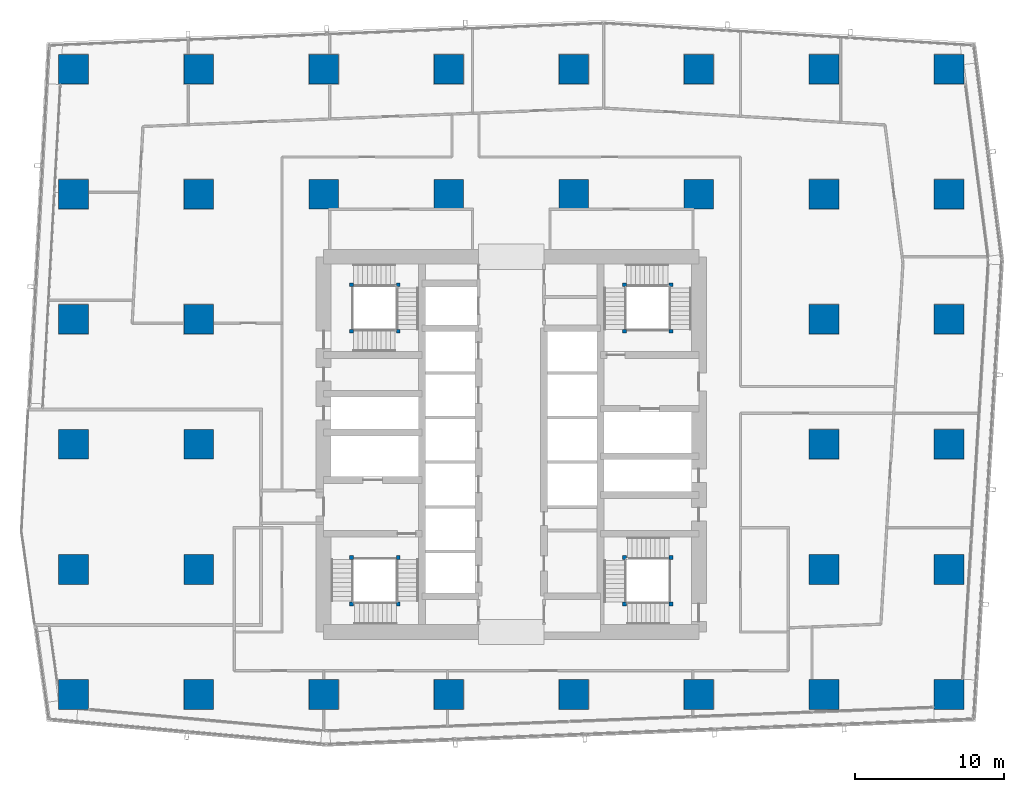
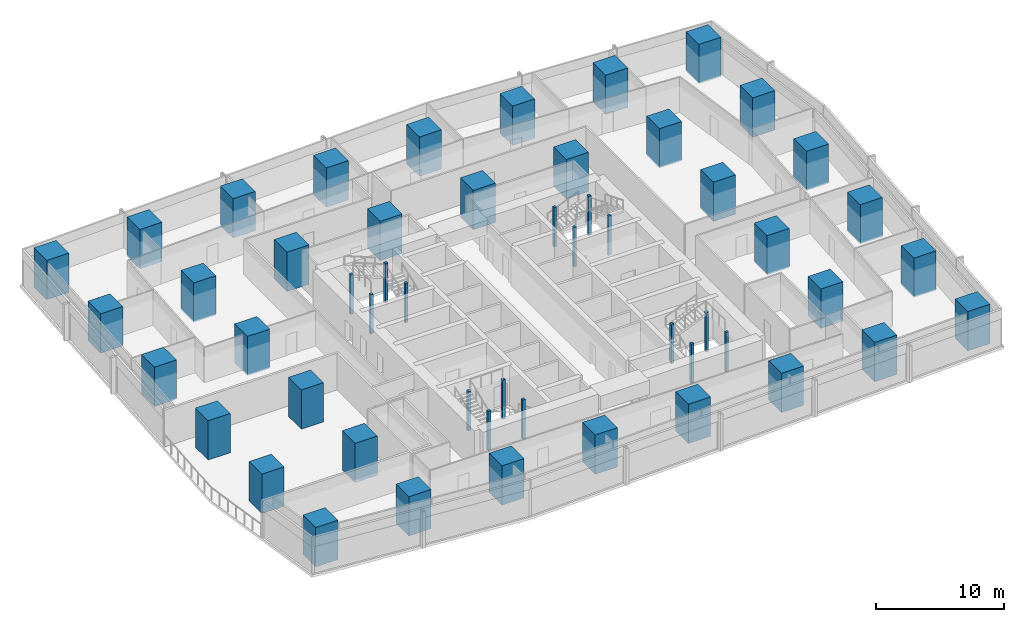
# One storey, part 1 of 36: 52 columns.
"""IFC4 building model written with IfcOpenShell, lengths in metres."""

from ifc_helpers import new_model, si_unit, direction, frame, origin, origin_2d, place, context, subcontext, project, spatial, rectangle, extrude, material, material_profile, profile_set, type_object, element, save


model = new_model("IFC4")

# Units and contexts
model_context = context("Model", 3, precision=1e-05, world=origin(), true_north=direction((0.0, 1.0)))
body_context = subcontext(model_context, "Body", "Model", "MODEL_VIEW")
ifc_project = project(units=[si_unit("LENGTHUNIT", "METRE"), si_unit("AREAUNIT", "SQUARE_METRE"), si_unit("VOLUMEUNIT", "CUBIC_METRE"), si_unit("PLANEANGLEUNIT", "RADIAN"), si_unit("MASSUNIT", "GRAM", prefix="KILO")], contexts=[model_context])

# Site, building, storey
site_placement = place(None, origin())
site = spatial("IfcSite", under=ifc_project, at=site_placement, CompositionType="ELEMENT")
building_placement = place(site_placement, origin())
building = spatial("IfcBuilding", under=site, at=building_placement, Name="Rekha Terrace Tower", CompositionType="ELEMENT")
storey_placement = place(building_placement, frame((0.0, 0.0, 144.050048828125)))
storey = spatial("IfcBuildingStorey", under=building, at=storey_placement, Name="L36", CompositionType="ELEMENT", Elevation=144.050048828125)

# Columns
ifc_material_1 = material(Name="Concrete M70", Category="concrete")
ifc_material_profile_1 = material_profile(ifc_material_1, rectangle(XDim=2.0, YDim=2.0, at=origin_2d()), Name="RC 2000x2000")
ifc_profile_set_1 = profile_set([ifc_material_profile_1], Name="Concrete M70")
column_type_1 = type_object("IfcColumnType", Name="C3C 2000x2000 column", PredefinedType="COLUMN", material=ifc_profile_set_1)
for number, where, z_axis, x_axis, name in (
    (1, (8.39990234375, 16.800048828125, 0.0), (0.0, 0.0, 1.0), (1.0, 0.0, 0.0), "Column C3C 2/C L36"),
    (2, (8.39990234375, 25.199951171875, 0.0), (0.0, 0.0, 1.0), (1.0, 0.0, 0.0), "Column C3C 2/D L36"),
    (3, (8.39990234375, 33.60009765625, 0.0), (0.0, 0.0, 1.0), (1.0, 0.0, 0.0), "Column C3C 2/E L36"),
    (4, (8.39990234375, 42.0, 0.0), (0.0, 0.0, 1.0), (1.0, 0.0, 0.0), "Column C3C 2/F L36"),
    (5, (8.39990234375, 50.39990234375, 0.0), (0.0, 0.0, 1.0), (1.0, 0.0, 0.0), "Column C3C 2/G L36"),
    (6, (8.39990234375, 58.800048828125, 0.0), (0.0, 0.0, 1.0), (1.0, 0.0, 0.0), "Column C3C 2/H L36"),
    (7, (16.800048828125, 16.800048828125, 0.0), (0.0, 0.0, 1.0), (1.0, 0.0, 0.0), "Column C3C 3/C L36"),
    (8, (16.800048828125, 25.199951171875, 0.0), (0.0, 0.0, 1.0), (1.0, 0.0, 0.0), "Column C3C 3/D L36"),
    (9, (16.800048828125, 33.60009765625, 0.0), (0.0, 0.0, 1.0), (1.0, 0.0, 0.0), "Column C3C 3/E L36"),
    (10, (16.800048828125, 42.0, 0.0), (0.0, 0.0, 1.0), (1.0, 0.0, 0.0), "Column C3C 3/F L36"),
    (11, (16.800048828125, 50.39990234375, 0.0), (0.0, 0.0, 1.0), (1.0, 0.0, 0.0), "Column C3C 3/G L36"),
    (12, (16.800048828125, 58.800048828125, 0.0), (0.0, 0.0, 1.0), (1.0, 0.0, 0.0), "Column C3C 3/H L36"),
    (13, (25.199951171875, 16.800048828125, 0.0), (0.0, 0.0, 1.0), (1.0, 0.0, 0.0), "Column C3C 4/C L36"),
    (14, (25.199951171875, 50.39990234375, 0.0), (0.0, 0.0, 1.0), (1.0, 0.0, 0.0), "Column C3C 4/G L36"),
    (15, (25.199951171875, 58.800048828125, 0.0), (0.0, 0.0, 1.0), (1.0, 0.0, 0.0), "Column C3C 4/H L36"),
    (16, (33.60009765625, 16.800048828125, 0.0), (0.0, 0.0, 1.0), (1.0, 0.0, 0.0), "Column C3C 5/C L36"),
    (17, (33.60009765625, 50.39990234375, 0.0), (0.0, 0.0, 1.0), (1.0, 0.0, 0.0), "Column C3C 5/G L36"),
    (18, (33.60009765625, 58.800048828125, 0.0), (0.0, 0.0, 1.0), (1.0, 0.0, 0.0), "Column C3C 5/H L36"),
    (19, (42.0, 16.800048828125, 0.0), (0.0, 0.0, 1.0), (1.0, 0.0, 0.0), "Column C3C 6/C L36"),
    (20, (42.0, 50.39990234375, 0.0), (0.0, 0.0, 1.0), (1.0, 0.0, 0.0), "Column C3C 6/G L36"),
    (21, (42.0, 58.800048828125, 0.0), (0.0, 0.0, 1.0), (1.0, 0.0, 0.0), "Column C3C 6/H L36"),
    (22, (50.39990234375, 16.800048828125, 0.0), (0.0, 0.0, 1.0), (1.0, 0.0, 0.0), "Column C3C 7/C L36"),
    (23, (50.39990234375, 50.39990234375, 0.0), (0.0, 0.0, 1.0), (1.0, 0.0, 0.0), "Column C3C 7/G L36"),
    (24, (50.39990234375, 58.800048828125, 0.0), (0.0, 0.0, 1.0), (1.0, 0.0, 0.0), "Column C3C 7/H L36"),
    (25, (58.800048828125, 16.800048828125, 0.0), (0.0, 0.0, 1.0), (1.0, 0.0, 0.0), "Column C3C 8/C L36"),
    (26, (58.800048828125, 25.199951171875, 0.0), (0.0, 0.0, 1.0), (1.0, 0.0, 0.0), "Column C3C 8/D L36"),
    (27, (58.800048828125, 33.60009765625, 0.0), (0.0, 0.0, 1.0), (1.0, 0.0, 0.0), "Column C3C 8/E L36"),
    (28, (58.800048828125, 42.0, 0.0), (0.0, 0.0, 1.0), (1.0, 0.0, 0.0), "Column C3C 8/F L36"),
    (29, (58.800048828125, 50.39990234375, 0.0), (0.0, 0.0, 1.0), (1.0, 0.0, 0.0), "Column C3C 8/G L36"),
    (30, (58.800048828125, 58.800048828125, 0.0), (0.0, 0.0, 1.0), (1.0, 0.0, 0.0), "Column C3C 8/H L36"),
    (31, (67.199951171875, 16.800048828125, 0.0), (0.0, 0.0, 1.0), (1.0, 0.0, 0.0), "Column C3C 9/C L36"),
    (32, (67.199951171875, 25.199951171875, 0.0), (0.0, 0.0, 1.0), (1.0, 0.0, 0.0), "Column C3C 9/D L36"),
    (33, (67.199951171875, 33.60009765625, 0.0), (0.0, 0.0, 1.0), (1.0, 0.0, 0.0), "Column C3C 9/E L36"),
    (34, (67.199951171875, 42.0, 0.0), (0.0, 0.0, 1.0), (1.0, 0.0, 0.0), "Column C3C 9/F L36"),
    (35, (67.199951171875, 50.39990234375, 0.0), (0.0, 0.0, 1.0), (1.0, 0.0, 0.0), "Column C3C 9/G L36"),
    (36, (67.199951171875, 58.800048828125, 0.0), (0.0, 0.0, 1.0), (1.0, 0.0, 0.0), "Column C3C 9/H L36"),
):
    element("IfcColumn", number, at=place(storey_placement, frame(where, z_axis=z_axis, x_axis=x_axis)), inside=storey, type_object=column_type_1, Name=name, PredefinedType="COLUMN", context=body_context, shape_type="SweptSolid", body=[
        extrude(rectangle(XDim=2.0, YDim=2.0, at=origin_2d()), origin(), (0.0, 0.0, 1.0), 3.75),
    ])
ifc_material_2 = material(Name="Concrete M60", Category="concrete")
ifc_material_profile_2 = material_profile(ifc_material_2, rectangle(XDim=0.25, YDim=0.25, at=origin_2d()), Name="RC 250x250")
ifc_profile_set_2 = profile_set([ifc_material_profile_2], Name="Concrete M60")
column_type_2 = type_object("IfcColumnType", Name="NP1 250x250 stair newel post", PredefinedType="COLUMN", material=ifc_profile_set_2)
for number, where, z_axis, x_axis, name in (
    (37, (30.199951171875, 26.0, 0.0), (0.0, 0.0, 1.0), (1.0, 0.0, 0.0), "Stair newel post NP1"),
    (38, (30.199951171875, 22.875, 0.0), (0.0, 0.0, 1.0), (1.0, 0.0, 0.0), "Stair newel post NP1"),
    (39, (27.074951171875, 22.875, 0.0), (0.0, 0.0, 1.0), (1.0, 0.0, 0.0), "Stair newel post NP1"),
    (40, (27.074951171875, 26.0, 0.0), (0.0, 0.0, 1.0), (1.0, 0.0, 0.0), "Stair newel post NP1"),
    (41, (45.39990234375, 41.199951171875, 0.0), (0.0, 0.0, 1.0), (1.0, 0.0, 0.0), "Stair newel post NP1"),
    (42, (45.39990234375, 44.324951171875, 0.0), (0.0, 0.0, 1.0), (1.0, 0.0, 0.0), "Stair newel post NP1"),
    (43, (48.52490234375, 44.324951171875, 0.0), (0.0, 0.0, 1.0), (1.0, 0.0, 0.0), "Stair newel post NP1"),
    (44, (48.52490234375, 41.199951171875, 0.0), (0.0, 0.0, 1.0), (1.0, 0.0, 0.0), "Stair newel post NP1"),
    (45, (48.52490234375, 22.875, 0.0), (0.0, 0.0, 1.0), (1.0, 0.0, 0.0), "Stair newel post NP1"),
    (46, (45.39990234375, 22.875, 0.0), (0.0, 0.0, 1.0), (1.0, 0.0, 0.0), "Stair newel post NP1"),
    (47, (45.39990234375, 26.0, 0.0), (0.0, 0.0, 1.0), (1.0, 0.0, 0.0), "Stair newel post NP1"),
    (48, (48.52490234375, 26.0, 0.0), (0.0, 0.0, 1.0), (1.0, 0.0, 0.0), "Stair newel post NP1"),
    (49, (27.074951171875, 41.199951171875, 0.0), (0.0, 0.0, 1.0), (1.0, 0.0, 0.0), "Stair newel post NP1"),
    (50, (30.199951171875, 41.199951171875, 0.0), (0.0, 0.0, 1.0), (1.0, 0.0, 0.0), "Stair newel post NP1"),
    (51, (30.199951171875, 44.324951171875, 0.0), (0.0, 0.0, 1.0), (1.0, 0.0, 0.0), "Stair newel post NP1"),
    (52, (27.074951171875, 44.324951171875, 0.0), (0.0, 0.0, 1.0), (1.0, 0.0, 0.0), "Stair newel post NP1"),
):
    element("IfcColumn", number, at=place(storey_placement, frame(where, z_axis=z_axis, x_axis=x_axis)), inside=storey, type_object=column_type_2, Name=name, PredefinedType="COLUMN", context=body_context, shape_type="SweptSolid", body=[
        extrude(rectangle(XDim=0.25, YDim=0.25, at=origin_2d()), origin(), (0.0, 0.0, 1.0), 3.75),
    ])

save(model, "model.ifc")
